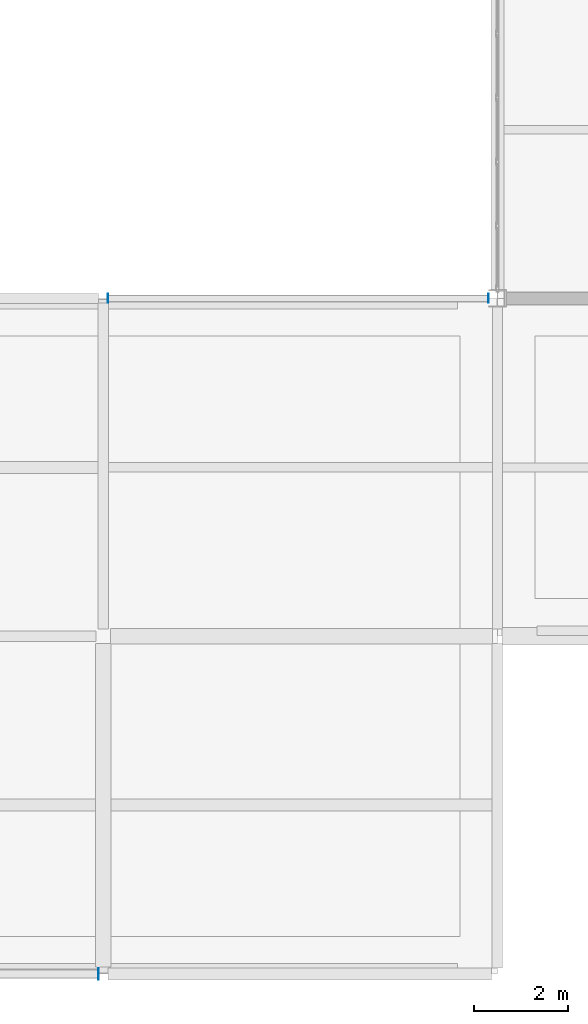
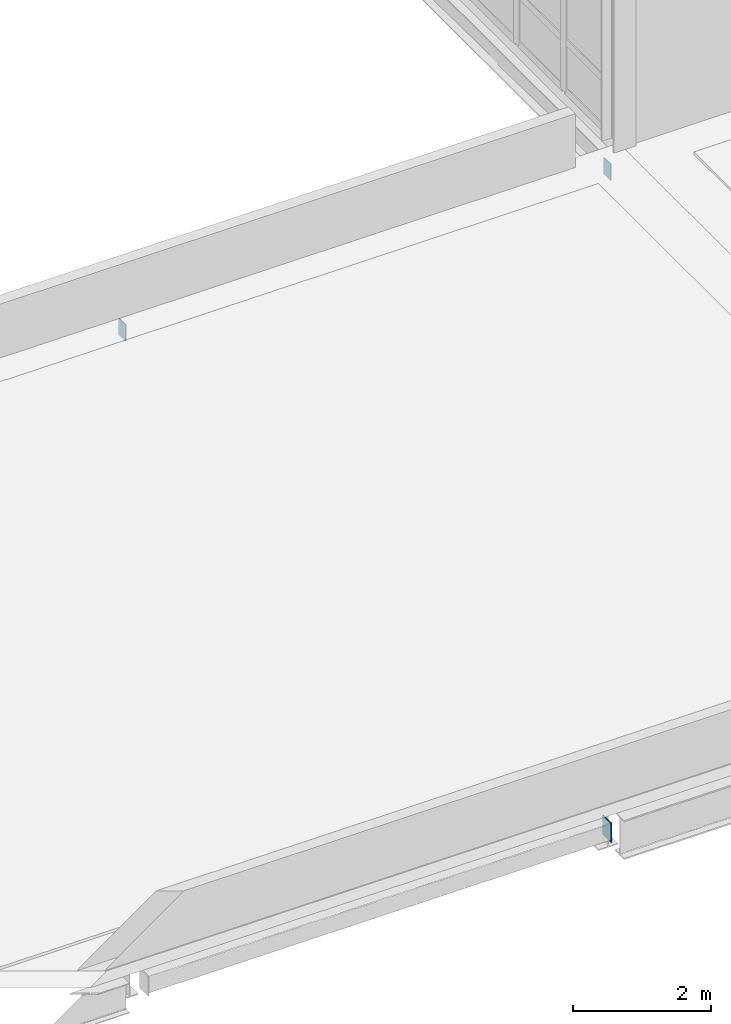
# One storey, part 115 of 153: 3 plates.
"""IFC4 building model written with IfcOpenShell, lengths in metres."""

from ifc_helpers import new_model, si_unit, direction, frame, origin, origin_2d, place, context, subcontext, project, spatial, rectangle, extrude, material, layer, layer_set, type_object, element, save


model = new_model("IFC4")

# Units and contexts
model_context = context("Model", 3, precision=1e-05, world=origin(), true_north=direction((0.0, 1.0)))
body_context = subcontext(model_context, "Body", "Model", "MODEL_VIEW")
ifc_project = project(units=[si_unit("LENGTHUNIT", "METRE"), si_unit("AREAUNIT", "SQUARE_METRE"), si_unit("VOLUMEUNIT", "CUBIC_METRE"), si_unit("PLANEANGLEUNIT", "RADIAN"), si_unit("MASSUNIT", "GRAM", prefix="KILO")], contexts=[model_context])

# Site, building, storey
site_placement = place(None, origin())
site = spatial("IfcSite", under=ifc_project, at=site_placement, CompositionType="ELEMENT")
building_placement = place(site_placement, origin())
building = spatial("IfcBuilding", under=site, at=building_placement, Name="Calvrana Isthmian Art Gallery", CompositionType="ELEMENT")
storey_placement = place(building_placement, frame((0.0, 0.0, 10.199951171875)))
storey = spatial("IfcBuildingStorey", under=building, at=storey_placement, Name="L02", CompositionType="ELEMENT", Elevation=10.199951171875)

# Plates
ifc_material = material(Name="Steel ASTM A572 Gr 50", Category="steel")
ifc_layer = layer(ifc_material, 0.01611328125, Name="Steel ASTM A572 Gr 50")
ifc_layer_set = layer_set([ifc_layer], Name="Steel ASTM A572 Gr 50")
plate_type = type_object("IfcPlateType", Name="PL-CAP-16", PredefinedType="SHEET", material=ifc_layer_set)
plate_placement = place(storey_placement, frame((104.29833984375, 0.0, -0.589599609375), z_axis=(0.0, 0.0, 1.0), x_axis=(1.0, 0.0, 0.0)))
element("IfcPlate", 1, at=plate_placement, inside=storey, type_object=plate_type, Name="Hollow section end cap plate 442", PredefinedType="SHEET", context=body_context, shape_type="SweptSolid", body=[
    extrude(rectangle(XDim=0.01611328125, YDim=0.2431640625, at=origin_2d()), origin(), (0.0, 0.0, 1.0), 0.3447265625),
])
for number, where, z_axis, x_axis, name in (
    (2, (104.501708984375, 14.39990234375, -0.538818359375), (0.0, 0.0, 1.0), (1.0, 0.0, 0.0), "Hollow section end cap plate 445"),
    (3, (112.613525390625, 14.39990234375, -0.538818359375), (0.0, 0.0, 1.0), (1.0, 0.0, 0.0), "Hollow section end cap plate 446"),
):
    element("IfcPlate", number, at=place(storey_placement, frame(where, z_axis=z_axis, x_axis=x_axis)), inside=storey, type_object=plate_type, Name=name, PredefinedType="SHEET", context=body_context, shape_type="SweptSolid", body=[
        extrude(rectangle(XDim=0.01611328125, YDim=0.1923828125, at=origin_2d()), origin(), (0.0, 0.0, 1.0), 0.2939453125),
    ])

save(model, "model.ifc")
